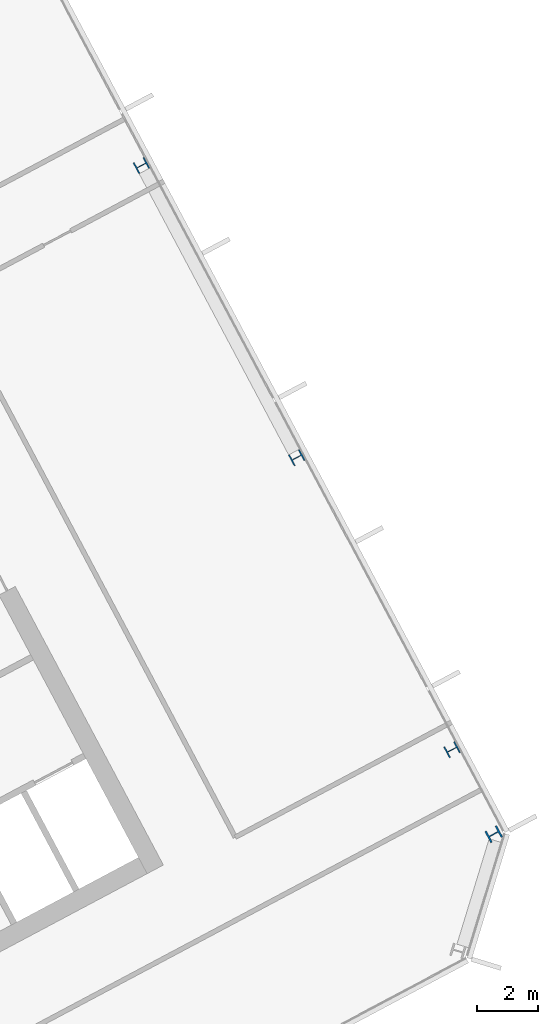
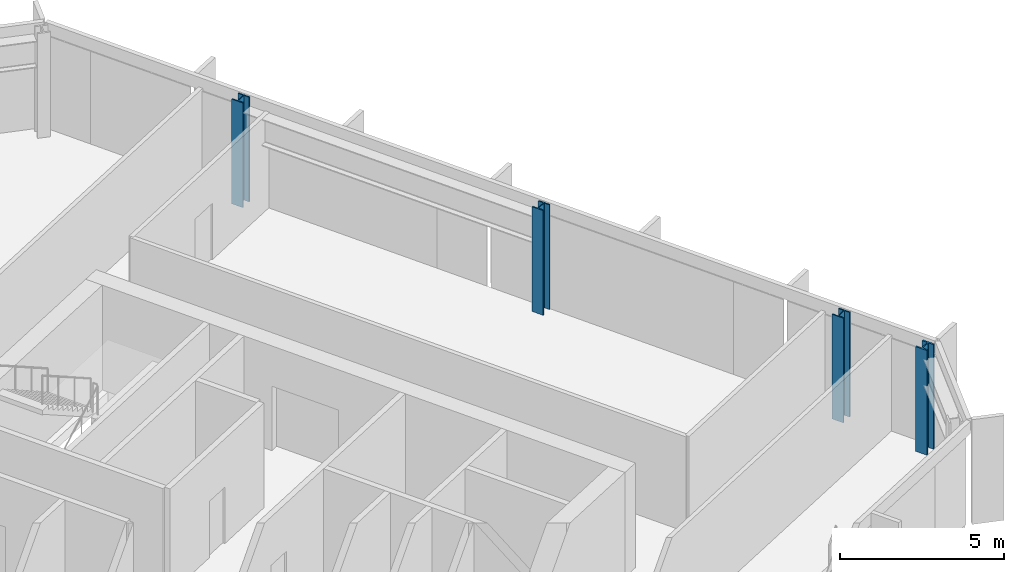
# One storey, part 7 of 27: 4 columns.
"""IFC4 building model written with IfcOpenShell, lengths in metres."""

from ifc_helpers import new_model, si_unit, direction, frame, origin, origin_2d, place, context, subcontext, project, spatial, i_section, extrude, material, material_profile, profile_set, type_object, element, save


model = new_model("IFC4")

# Units and contexts
model_context = context("Model", 3, precision=1e-05, world=origin(), true_north=direction((0.0, 1.0)))
body_context = subcontext(model_context, "Body", "Model", "MODEL_VIEW")
ifc_project = project(units=[si_unit("LENGTHUNIT", "METRE"), si_unit("AREAUNIT", "SQUARE_METRE"), si_unit("VOLUMEUNIT", "CUBIC_METRE"), si_unit("PLANEANGLEUNIT", "RADIAN"), si_unit("MASSUNIT", "GRAM", prefix="KILO")], contexts=[model_context])

# Site, building, storey
site_placement = place(None, origin())
site = spatial("IfcSite", under=ifc_project, at=site_placement, CompositionType="ELEMENT")
building_placement = place(site_placement, origin())
building = spatial("IfcBuilding", under=site, at=building_placement, Name="Cormorant Relay Tower", CompositionType="ELEMENT")
storey_placement = place(building_placement, frame((0.0, 0.0, 201.300048828125)))
storey = spatial("IfcBuildingStorey", under=building, at=storey_placement, Name="L43", CompositionType="ELEMENT", Elevation=201.300048828125)

# Columns
ifc_material_1 = material(Name="Steel ASTM A992 (Fy 345 MPa)", Category="steel")
ifc_material_profile_1 = material_profile(ifc_material_1, i_section(OverallWidth=0.40380859375, OverallDepth=0.406494140625, WebThickness=0.027099609375, FlangeThickness=0.043701171875, FilletRadius=0.01513671875, at=origin_2d()), Name="W360x347")
ifc_profile_set_1 = profile_set([ifc_material_profile_1], Name="Steel ASTM A992 (Fy 345 MPa)")
column_type_1 = type_object("IfcColumnType", Name="Column W360x347", PredefinedType="COLUMN", material=ifc_profile_set_1)
for number, where, z_axis, x_axis, name in (
    (1, (47.26611328125, 12.89990234375, 0.0), (0.0, 0.0, 1.0), (-0.469471562786, 0.882947592859, 0.0), "Column L43-026"),
    (2, (42.196044921875, 22.43603515625, 0.0), (0.0, 0.0, 1.0), (-0.469471562786, 0.882947592859, 0.0), "Column L43-029"),
    (3, (37.1259765625, 31.971923828125, 0.0), (0.0, 0.0, 1.0), (-0.469471562786, 0.882947592859, 0.0), "Column L43-036"),
):
    element("IfcColumn", number, at=place(storey_placement, frame(where, z_axis=z_axis, x_axis=x_axis)), inside=storey, type_object=column_type_1, Name=name, PredefinedType="COLUMN", context=body_context, shape_type="SweptSolid", body=[
        extrude(i_section(OverallWidth=0.40380859375, OverallDepth=0.406494140625, WebThickness=0.027099609375, FlangeThickness=0.043701171875, FilletRadius=0.01513671875, at=origin_2d()), origin(), (0.0, 0.0, 1.0), 3.89990234375),
    ])
ifc_material_2 = material(Name="Steel ASTM A992 (Fy 345 MPa)", Category="steel")
ifc_material_profile_2 = material_profile(ifc_material_2, i_section(OverallWidth=0.41162109375, OverallDepth=0.434326171875, WebThickness=0.035888671875, FlangeThickness=0.057373046875, FilletRadius=0.01513671875, at=origin_2d()), Name="W360x463")
ifc_profile_set_2 = profile_set([ifc_material_profile_2], Name="Steel ASTM A992 (Fy 345 MPa)")
column_type_2 = type_object("IfcColumnType", Name="Column W360x463", PredefinedType="COLUMN", material=ifc_profile_set_2)
column_placement = place(storey_placement, frame((48.6259765625, 10.14208984375, 0.0), z_axis=(0.0, 0.0, 1.0), x_axis=(-0.469471562786, 0.882947592859, 0.0)))
element("IfcColumn", 4, at=column_placement, inside=storey, type_object=column_type_2, Name="Column L43-021", PredefinedType="COLUMN", context=body_context, shape_type="SweptSolid", body=[
    extrude(i_section(OverallWidth=0.41162109375, OverallDepth=0.434326171875, WebThickness=0.035888671875, FlangeThickness=0.057373046875, FilletRadius=0.01513671875, at=origin_2d()), origin(), (0.0, 0.0, 1.0), 3.89990234375),
])

save(model, "model.ifc")
